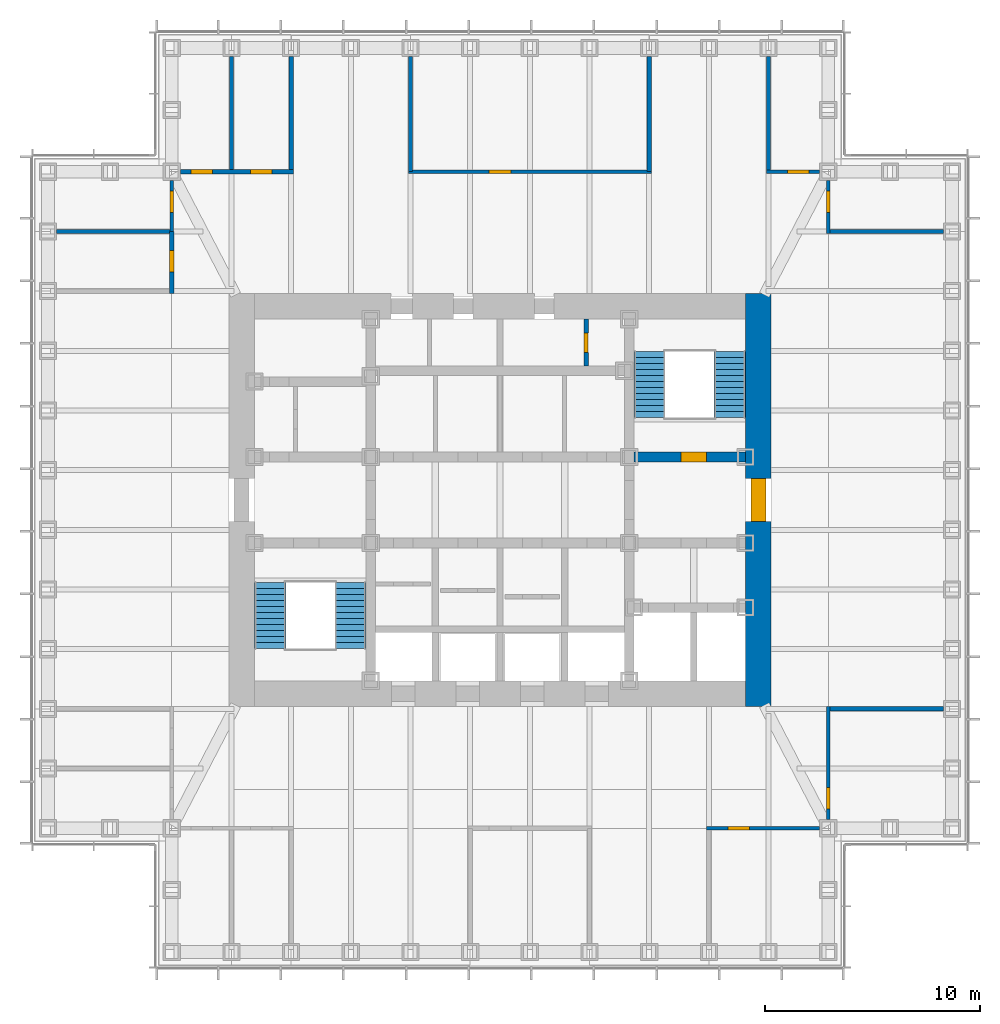
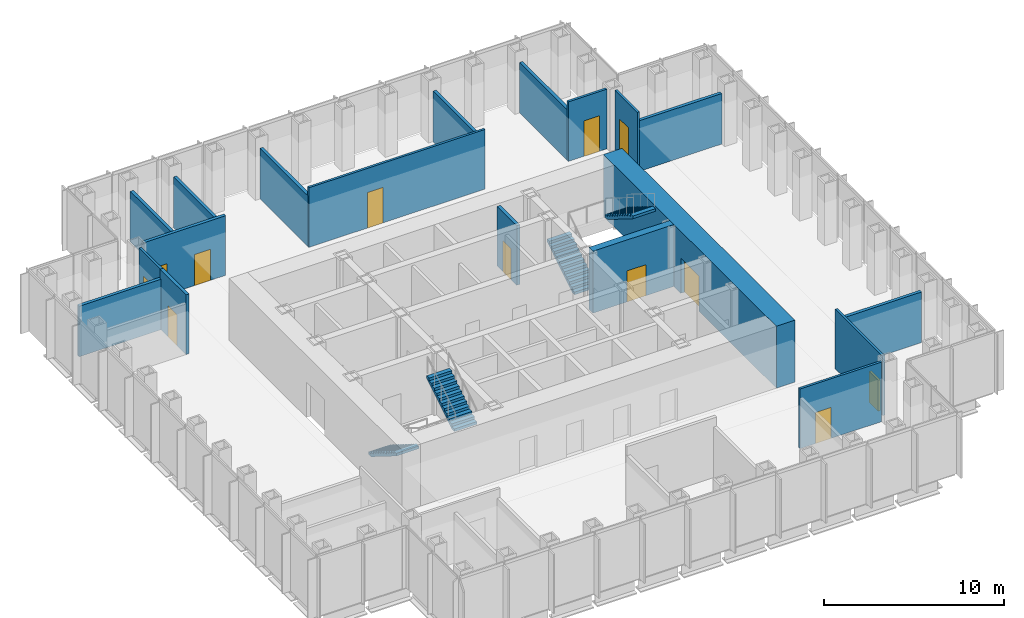
# One storey, part 10 of 16: 19 walls, 12 doors, 4 stair flights, 12 openings, 2 elements without a shape of their own.
"""IFC4 building model written with IfcOpenShell, lengths in metres."""

from ifc_helpers import new_model, si_unit, direction, frame, frame_2d, origin, place, context, subcontext, project, spatial, polyline, rectangle, outline, extrude, material, layer, layer_set, type_object, element, fill, aggregate, save


model = new_model("IFC4")

# Units and contexts
model_context = context("Model", 3, precision=1e-05, world=origin(), true_north=direction((0.0, 1.0)))
body_context = subcontext(model_context, "Body", "Model", "MODEL_VIEW")
ifc_project = project(units=[si_unit("LENGTHUNIT", "METRE"), si_unit("AREAUNIT", "SQUARE_METRE"), si_unit("VOLUMEUNIT", "CUBIC_METRE"), si_unit("PLANEANGLEUNIT", "RADIAN"), si_unit("MASSUNIT", "GRAM", prefix="KILO")], contexts=[model_context])

# Site, building, storey
site_placement = place(None, origin())
site = spatial("IfcSite", under=ifc_project, at=site_placement, CompositionType="ELEMENT")
building_placement = place(site_placement, origin())
building = spatial("IfcBuilding", under=site, at=building_placement, Name="Daluyong Arena Tower", CompositionType="ELEMENT")
storey_placement = place(building_placement, frame((0.0, 0.0, 262.89990234375)))
storey = spatial("IfcBuildingStorey", under=building, at=storey_placement, Name="L59", CompositionType="ELEMENT", Elevation=262.89990234375)

# Wall, opening, door
ifc_material_1 = material(Name="Concrete fc' 45 MPa", Category="concrete")
ifc_layer_1 = layer(ifc_material_1, 0.449951171875)
ifc_layer_set_1 = layer_set([ifc_layer_1], Name="Concrete fc' 45 MPa")
wall_type_1 = type_object("IfcWallType", Name="Core inner wall 450", PredefinedType="SHEAR", material=ifc_layer_set_1)
wall_1_placement = place(storey_placement, frame((62.22509765625, 82.0, 0.0), z_axis=(0.0, 0.0, 1.0), x_axis=(1.0, 0.0, 0.0)))
wall_1 = element("IfcWall", 1, at=wall_1_placement, inside=storey, type_object=wall_type_1, Name="core inner wall at L59", PredefinedType="SHEAR", context=body_context, shape_type="SweptSolid", body=[
    extrude(rectangle(XDim=5.1748046875, YDim=0.449951171875, at=frame_2d((2.58740234375, 0.0))), origin(), (0.0, 0.0, 1.0), 4.2001953125),
])
opening_1_placement = place(wall_1_placement, frame((2.175048828125, 0.0, 0.0)))
opening_1 = element("IfcOpeningElement", 2, at=opening_1_placement, cuts=wall_1, Name="Opening 59020", PredefinedType="OPENING", context=body_context, shape_type="SweptSolid", body=[
    extrude(rectangle(XDim=1.199951171875, YDim=2.10009765625, at=frame_2d((0.60009765625, 1.050048828125))), frame((0.0, 0.23486328125, 0.0), z_axis=(0.0, -1.0, 0.0), x_axis=(1.0, 0.0, 0.0)), (0.0, 0.0, 1.0), 0.469970703125),
])
ifc_material_2 = material(Name="Steel door, fire rated", Category="steel")
door_type_1 = type_object("IfcDoorType", Name="Stair door 1200", OperationType="SINGLE_SWING_LEFT", PredefinedType="DOOR", material=ifc_material_2)
door_1_placement = place(opening_1_placement, origin())
door_1 = element("IfcDoor", 3, at=door_1_placement, inside=storey, type_object=door_type_1, Name="stair B door 59020", OperationType="SINGLE_SWING_LEFT", OverallHeight=2.10009765625, OverallWidth=1.199951171875, PredefinedType="DOOR", context=body_context, shape_type="SweptSolid", body=[
    extrude(rectangle(XDim=1.199951171875, YDim=2.10009765625, at=frame_2d((0.60009765625, 1.050048828125))), frame((0.0, 0.224609375, 0.0), z_axis=(0.0, -1.0, 0.0), x_axis=(1.0, 0.0, 0.0)), (0.0, 0.0, 1.0), 0.449462890625),
])
fill(opening_1, door_1)

ifc_material_3 = material(Name="Concrete fc' 60 MPa", Category="concrete")
ifc_layer_2 = layer(ifc_material_3, 1.199951171875)
ifc_layer_set_2 = layer_set([ifc_layer_2], Name="Concrete fc' 60 MPa")
wall_type_2 = type_object("IfcWallType", Name="Core wall 1200", PredefinedType="SHEAR", material=ifc_layer_set_2)
wall_2_placement = place(storey_placement, frame((68.0, 70.39990234375, 0.0), z_axis=(0.0, 0.0, 1.0), x_axis=(0.0, 1.0, 0.0)))
wall_2 = element("IfcWall", 4, at=wall_2_placement, inside=storey, type_object=wall_type_2, Name="core wall at L59", PredefinedType="SHEAR", context=body_context, shape_type="SweptSolid", body=[
    extrude(rectangle(XDim=19.2001953125, YDim=1.199951171875, at=frame_2d((9.60009765625, 0.0))), origin(), (0.0, 0.0, 1.0), 4.2001953125),
])
opening_2_placement = place(wall_2_placement, frame((8.60009765625, 0.0, 0.0)))
opening_2 = element("IfcOpeningElement", 5, at=opening_2_placement, cuts=wall_2, Name="Opening 59022", PredefinedType="OPENING", context=body_context, shape_type="SweptSolid", body=[
    extrude(rectangle(XDim=2.0, YDim=2.39990234375, at=frame_2d((1.0, 1.199951171875))), frame((0.0, 0.60986328125, 0.0), z_axis=(0.0, -1.0, 0.0), x_axis=(1.0, 0.0, 0.0)), (0.0, 0.0, 1.0), 1.219970703125),
])
ifc_material_4 = material(Name="Steel door, fire rated", Category="steel")
door_type_2 = type_object("IfcDoorType", Name="Core lobby double door 2000", OperationType="DOUBLE_DOOR_SINGLE_SWING", PredefinedType="DOOR", material=ifc_material_4)
door_2_placement = place(opening_2_placement, origin())
door_2 = element("IfcDoor", 6, at=door_2_placement, inside=storey, type_object=door_type_2, Name="core lobby door east 59022", OperationType="DOUBLE_DOOR_SINGLE_SWING", OverallHeight=2.39990234375, OverallWidth=2.0, PredefinedType="DOOR", context=body_context, shape_type="SweptSolid", body=[
    extrude(rectangle(XDim=2.0, YDim=2.39990234375, at=frame_2d((1.0, 1.199951171875))), frame((0.0, 0.35009765625, 0.0), z_axis=(0.0, -1.0, 0.0), x_axis=(1.0, 0.0, 0.0)), (0.0, 0.0, 1.0), 0.699951171875),
])
fill(opening_2, door_2)

ifc_material_5 = material(Name="Concrete block partition, fire rated", Category="concrete")
ifc_layer_3 = layer(ifc_material_5, 0.199951171875)
ifc_layer_set_3 = layer_set([ifc_layer_3], Name="Concrete block partition, fire rated")
wall_type_3 = type_object("IfcWallType", Name="Fire-rated partition 200", PredefinedType="PARTITIONING", material=ifc_layer_set_3)
wall_3_placement = place(storey_placement, frame((60.0, 86.22509765625, 0.0), z_axis=(0.0, 0.0, 1.0), x_axis=(0.0, 1.0, 0.0)))
wall_3 = element("IfcWall", 7, at=wall_3_placement, inside=storey, type_object=wall_type_3, Name="electrical riser enclosure at L59", PredefinedType="PARTITIONING", context=body_context, shape_type="SweptSolid", body=[
    extrude(rectangle(XDim=2.1748046875, YDim=0.199951171875, at=frame_2d((1.08740234375, 0.0))), origin(), (0.0, 0.0, 1.0), 4.0400390625),
])
opening_3_placement = place(wall_3_placement, frame((0.637451171875, 0.0, 0.0)))
opening_3 = element("IfcOpeningElement", 8, at=opening_3_placement, cuts=wall_3, Name="Opening 59007", PredefinedType="OPENING", context=body_context, shape_type="SweptSolid", body=[
    extrude(rectangle(XDim=0.89990234375, YDim=2.10009765625, at=frame_2d((0.449951171875, 1.050048828125))), frame((0.0, 0.10986328125, 0.0), z_axis=(0.0, -1.0, 0.0), x_axis=(1.0, 0.0, 0.0)), (0.0, 0.0, 1.0), 0.219970703125),
])
ifc_material_6 = material(Name="Steel door, fire rated", Category="steel")
door_type_3 = type_object("IfcDoorType", Name="Riser door 900", OperationType="SINGLE_SWING_LEFT", PredefinedType="DOOR", material=ifc_material_6)
door_3_placement = place(opening_3_placement, origin())
door_3 = element("IfcDoor", 9, at=door_3_placement, inside=storey, type_object=door_type_3, Name="riser door 59007", OperationType="SINGLE_SWING_LEFT", OverallHeight=2.10009765625, OverallWidth=0.89990234375, PredefinedType="DOOR", context=body_context, shape_type="SweptSolid", body=[
    extrude(rectangle(XDim=0.89990234375, YDim=2.10009765625, at=frame_2d((0.449951171875, 1.050048828125))), frame((0.0, 0.099609375, 0.0), z_axis=(0.0, -1.0, 0.0), x_axis=(1.0, 0.0, 0.0)), (0.0, 0.0, 1.0), 0.199462890625),
])
fill(opening_3, door_3)

ifc_material_7 = material(Name="Glazed aluminium partition", Category="aluminium")
ifc_layer_4 = layer(ifc_material_7, 0.14990234375)
ifc_layer_set_4 = layer_set([ifc_layer_4], Name="Glazed aluminium partition")
wall_type_4 = type_object("IfcWallType", Name="Glazed partition 150", PredefinedType="PARTITIONING", material=ifc_layer_set_4)
wall_4_placement = place(storey_placement, frame((65.6044921875, 64.75, 0.0), z_axis=(0.0, 0.0, 1.0), x_axis=(1.0, 0.0, 0.0)))
wall_4 = element("IfcWall", 10, at=wall_4_placement, inside=storey, type_object=wall_type_4, Name="glazed partition at L59", PredefinedType="PARTITIONING", context=body_context, shape_type="SweptSolid", body=[
    extrude(rectangle(XDim=5.24560546875, YDim=0.14990234375, at=frame_2d((2.622802734375, 0.0))), origin(), (0.0, 0.0, 1.0), 4.0400390625),
])
opening_4_placement = place(wall_4_placement, frame((0.986328125, 0.0, 0.0)))
opening_4 = element("IfcOpeningElement", 11, at=opening_4_placement, cuts=wall_4, Name="Opening 59035", PredefinedType="OPENING", context=body_context, shape_type="SweptSolid", body=[
    extrude(rectangle(XDim=1.0, YDim=2.10009765625, at=frame_2d((0.5, 1.050048828125))), frame((0.0, 0.0849609375, 0.0), z_axis=(0.0, -1.0, 0.0), x_axis=(1.0, 0.0, 0.0)), (0.0, 0.0, 1.0), 0.169921875),
])
ifc_material_8 = material(Name="Timber door", Category="wood")
door_type_4 = type_object("IfcDoorType", Name="Room door 1000", OperationType="SINGLE_SWING_LEFT", PredefinedType="DOOR", material=ifc_material_8)
door_4_placement = place(opening_4_placement, origin())
door_4 = element("IfcDoor", 12, at=door_4_placement, inside=storey, type_object=door_type_4, Name="executive office door 59035", OperationType="SINGLE_SWING_LEFT", OverallHeight=2.10009765625, OverallWidth=1.0, PredefinedType="DOOR", context=body_context, shape_type="SweptSolid", body=[
    extrude(rectangle(XDim=1.0, YDim=2.10009765625, at=frame_2d((0.5, 1.050048828125))), frame((0.0, 0.07470703125, 0.0), z_axis=(0.0, -1.0, 0.0), x_axis=(1.0, 0.0, 0.0)), (0.0, 0.0, 1.0), 0.1494140625),
])
fill(opening_4, door_4)

wall_5_placement = place(storey_placement, frame((51.740966796875, 95.25, 0.0), z_axis=(0.0, 0.0, 1.0), x_axis=(1.0, 0.0, 0.0)))
wall_5 = element("IfcWall", 13, at=wall_5_placement, inside=storey, type_object=wall_type_4, Name="glazed partition at L59", PredefinedType="PARTITIONING", context=body_context, shape_type="SweptSolid", body=[
    extrude(rectangle(XDim=11.290771484375, YDim=0.14990234375, at=frame_2d((5.6455078125, 0.0))), origin(), (0.0, 0.0, 1.0), 4.0400390625),
])
opening_5_placement = place(wall_5_placement, frame((3.759033203125, 0.0, 0.0)))
opening_5 = element("IfcOpeningElement", 14, at=opening_5_placement, cuts=wall_5, Name="Opening 59040", PredefinedType="OPENING", context=body_context, shape_type="SweptSolid", body=[
    extrude(rectangle(XDim=1.0, YDim=2.39990234375, at=frame_2d((0.5, 1.199951171875))), frame((0.0, 0.0849609375, 0.0), z_axis=(0.0, -1.0, 0.0), x_axis=(1.0, 0.0, 0.0)), (0.0, 0.0, 1.0), 0.169921875),
])
ifc_material_9 = material(Name="Glazed aluminium door", Category="aluminium")
door_type_5 = type_object("IfcDoorType", Name="Meeting room glazed door 1000", OperationType="SINGLE_SWING_RIGHT", PredefinedType="DOOR", material=ifc_material_9)
door_5_placement = place(opening_5_placement, origin())
door_5 = element("IfcDoor", 15, at=door_5_placement, inside=storey, type_object=door_type_5, Name="boardroom door 59040", OperationType="SINGLE_SWING_RIGHT", OverallHeight=2.39990234375, OverallWidth=1.0, PredefinedType="DOOR", context=body_context, shape_type="SweptSolid", body=[
    extrude(rectangle(XDim=1.0, YDim=2.39990234375, at=frame_2d((0.5, 1.199951171875))), frame((0.0, 0.07470703125, 0.0), z_axis=(0.0, -1.0, 0.0), x_axis=(1.0, 0.0, 0.0)), (0.0, 0.0, 1.0), 0.1494140625),
])
fill(opening_5, door_5)

wall_6_placement = place(storey_placement, frame((68.377197265625, 95.25, 0.0), z_axis=(0.0, 0.0, 1.0), x_axis=(1.0, 0.0, 0.0)))
wall_6 = element("IfcWall", 16, at=wall_6_placement, inside=storey, type_object=wall_type_4, Name="glazed partition at L59", PredefinedType="PARTITIONING", context=body_context, shape_type="SweptSolid", body=[
    extrude(rectangle(XDim=2.472900390625, YDim=0.14990234375, at=frame_2d((1.236328125, 0.0))), origin(), (0.0, 0.0, 1.0), 4.0400390625),
])
opening_6_placement = place(wall_6_placement, frame((0.986328125, 0.0, 0.0)))
opening_6 = element("IfcOpeningElement", 17, at=opening_6_placement, cuts=wall_6, Name="Opening 59041", PredefinedType="OPENING", context=body_context, shape_type="SweptSolid", body=[
    extrude(rectangle(XDim=1.0, YDim=2.39990234375, at=frame_2d((0.5, 1.199951171875))), frame((0.0, 0.0849609375, 0.0), z_axis=(0.0, -1.0, 0.0), x_axis=(1.0, 0.0, 0.0)), (0.0, 0.0, 1.0), 0.169921875),
])
door_6_placement = place(opening_6_placement, origin())
door_6 = element("IfcDoor", 18, at=door_6_placement, inside=storey, type_object=door_type_5, Name="focus room door 59041", OperationType="SINGLE_SWING_RIGHT", OverallHeight=2.39990234375, OverallWidth=1.0, PredefinedType="DOOR", context=body_context, shape_type="SweptSolid", body=[
    extrude(rectangle(XDim=1.0, YDim=2.39990234375, at=frame_2d((0.5, 1.199951171875))), frame((0.0, 0.07470703125, 0.0), z_axis=(0.0, -1.0, 0.0), x_axis=(1.0, 0.0, 0.0)), (0.0, 0.0, 1.0), 0.1494140625),
])
fill(opening_6, door_6)

wall_7_placement = place(storey_placement, frame((40.75, 92.477294921875, 0.0), z_axis=(0.0, 0.0, 1.0), x_axis=(0.0, 1.0, 0.0)))
wall_7 = element("IfcWall", 19, at=wall_7_placement, inside=storey, type_object=wall_type_4, Name="glazed partition at L59", PredefinedType="PARTITIONING", context=body_context, shape_type="SweptSolid", body=[
    extrude(rectangle(XDim=2.372802734375, YDim=0.14990234375, at=frame_2d((1.1865234375, 0.0))), origin(), (0.0, 0.0, 1.0), 4.0400390625),
])
opening_7_placement = place(wall_7_placement, frame((0.886474609375, 0.0, 0.0)))
opening_7 = element("IfcOpeningElement", 20, at=opening_7_placement, cuts=wall_7, Name="Opening 59045", PredefinedType="OPENING", context=body_context, shape_type="SweptSolid", body=[
    extrude(rectangle(XDim=1.0, YDim=2.39990234375, at=frame_2d((0.5, 1.199951171875))), frame((0.0, 0.0849609375, 0.0), z_axis=(0.0, -1.0, 0.0), x_axis=(1.0, 0.0, 0.0)), (0.0, 0.0, 1.0), 0.169921875),
])
door_7_placement = place(opening_7_placement, origin())
door_7 = element("IfcDoor", 21, at=door_7_placement, inside=storey, type_object=door_type_5, Name="focus room door 59045", OperationType="SINGLE_SWING_RIGHT", OverallHeight=2.39990234375, OverallWidth=1.0, PredefinedType="DOOR", context=body_context, shape_type="SweptSolid", body=[
    extrude(rectangle(XDim=1.0, YDim=2.39990234375, at=frame_2d((0.5, 1.199951171875))), frame((0.0, 0.07470703125, 0.0), z_axis=(0.0, -1.0, 0.0), x_axis=(1.0, 0.0, 0.0)), (0.0, 0.0, 1.0), 0.1494140625),
])
fill(opening_7, door_7)

wall_8_placement = place(storey_placement, frame((71.25, 65.14990234375, 0.0), z_axis=(0.0, 0.0, 1.0), x_axis=(0.0, 1.0, 0.0)))
wall_8 = element("IfcWall", 22, at=wall_8_placement, inside=storey, type_object=wall_type_4, Name="glazed partition at L59", PredefinedType="PARTITIONING", context=body_context, shape_type="SweptSolid", body=[
    extrude(rectangle(XDim=5.24560546875, YDim=0.14990234375, at=frame_2d((2.622802734375, 0.0))), origin(), (0.0, 0.0, 1.0), 4.0400390625),
])
opening_8_placement = place(wall_8_placement, frame((0.486328125, 0.0, 0.0)))
opening_8 = element("IfcOpeningElement", 23, at=opening_8_placement, cuts=wall_8, Name="Opening 59036", PredefinedType="OPENING", context=body_context, shape_type="SweptSolid", body=[
    extrude(rectangle(XDim=1.0, YDim=2.10009765625, at=frame_2d((0.5, 1.050048828125))), frame((0.0, 0.0849609375, 0.0), z_axis=(0.0, -1.0, 0.0), x_axis=(1.0, 0.0, 0.0)), (0.0, 0.0, 1.0), 0.169921875),
])
door_8_placement = place(opening_8_placement, origin())
door_8 = element("IfcDoor", 24, at=door_8_placement, inside=storey, type_object=door_type_4, Name="executive office door 59036", OperationType="SINGLE_SWING_LEFT", OverallHeight=2.10009765625, OverallWidth=1.0, PredefinedType="DOOR", context=body_context, shape_type="SweptSolid", body=[
    extrude(rectangle(XDim=1.0, YDim=2.10009765625, at=frame_2d((0.5, 1.050048828125))), frame((0.0, 0.07470703125, 0.0), z_axis=(0.0, -1.0, 0.0), x_axis=(1.0, 0.0, 0.0)), (0.0, 0.0, 1.0), 0.1494140625),
])
fill(opening_8, door_8)

wall_9_placement = place(storey_placement, frame((71.25, 92.377197265625, 0.0), z_axis=(0.0, 0.0, 1.0), x_axis=(0.0, 1.0, 0.0)))
wall_9 = element("IfcWall", 25, at=wall_9_placement, inside=storey, type_object=wall_type_4, Name="glazed partition at L59", PredefinedType="PARTITIONING", context=body_context, shape_type="SweptSolid", body=[
    extrude(rectangle(XDim=2.472900390625, YDim=0.14990234375, at=frame_2d((1.236328125, 0.0))), origin(), (0.0, 0.0, 1.0), 4.0400390625),
])
opening_9_placement = place(wall_9_placement, frame((0.986328125, 0.0, 0.0)))
opening_9 = element("IfcOpeningElement", 26, at=opening_9_placement, cuts=wall_9, Name="Opening 59037", PredefinedType="OPENING", context=body_context, shape_type="SweptSolid", body=[
    extrude(rectangle(XDim=1.0, YDim=2.39990234375, at=frame_2d((0.5, 1.199951171875))), frame((0.0, 0.0849609375, 0.0), z_axis=(0.0, -1.0, 0.0), x_axis=(1.0, 0.0, 0.0)), (0.0, 0.0, 1.0), 0.169921875),
])
door_9_placement = place(opening_9_placement, origin())
door_9 = element("IfcDoor", 27, at=door_9_placement, inside=storey, type_object=door_type_5, Name="meeting room door 59037", OperationType="SINGLE_SWING_RIGHT", OverallHeight=2.39990234375, OverallWidth=1.0, PredefinedType="DOOR", context=body_context, shape_type="SweptSolid", body=[
    extrude(rectangle(XDim=1.0, YDim=2.39990234375, at=frame_2d((0.5, 1.199951171875))), frame((0.0, 0.07470703125, 0.0), z_axis=(0.0, -1.0, 0.0), x_axis=(1.0, 0.0, 0.0)), (0.0, 0.0, 1.0), 0.1494140625),
])
fill(opening_9, door_9)

# Walls
ifc_material_10 = material(Name="Concrete block partition", Category="concrete")
ifc_layer_5 = layer(ifc_material_10, 0.199951171875)
ifc_layer_set_5 = layer_set([ifc_layer_5], Name="Concrete block partition")
wall_type_5 = type_object("IfcWallType", Name="Partition 200", PredefinedType="PARTITIONING", material=ifc_layer_set_5)
for number, where, z_axis, x_axis, name in (
    (28, (71.25, 70.29541015625, 0.0), (0.0, 0.0, 1.0), (1.0, 0.0, 0.0), "partition at L59"),
    (29, (71.25, 92.477294921875, 0.0), (0.0, 0.0, 1.0), (1.0, 0.0, 0.0), "partition at L59"),
    (30, (43.522705078125, 95.25, 0.0), (0.0, 0.0, 1.0), (0.0, 1.0, 0.0), "partition at L59"),
    (31, (46.29541015625, 95.25, 0.0), (0.0, 0.0, 1.0), (0.0, 1.0, 0.0), "partition at L59"),
    (32, (51.8408203125, 95.25, 0.0), (0.0, 0.0, 1.0), (0.0, 1.0, 0.0), "partition at L59"),
    (33, (62.931884765625, 95.25, 0.0), (0.0, 0.0, 1.0), (0.0, 1.0, 0.0), "partition at L59"),
    (34, (68.477294921875, 95.25, 0.0), (0.0, 0.0, 1.0), (0.0, 1.0, 0.0), "partition at L59"),
    (35, (35.39990234375, 92.477294921875, 0.0), (0.0, 0.0, 1.0), (1.0, 0.0, 0.0), "partition at L59"),
):
    element("IfcWall", number, at=place(storey_placement, frame(where, z_axis=z_axis, x_axis=x_axis)), inside=storey, type_object=wall_type_5, Name=name, PredefinedType="PARTITIONING", context=body_context, shape_type="SweptSolid", body=[
        extrude(rectangle(XDim=5.35009765625, YDim=0.199951171875, at=frame_2d((2.675048828125, 0.0))), origin(), (0.0, 0.0, 1.0), 3.427978515625),
    ])

# Wall, openings, doors
wall_10_placement = place(storey_placement, frame((41.14990234375, 95.25, 0.0), z_axis=(0.0, 0.0, 1.0), x_axis=(1.0, 0.0, 0.0)))
wall_10 = element("IfcWall", 36, at=wall_10_placement, inside=storey, type_object=wall_type_5, Name="partition at L59", PredefinedType="PARTITIONING", context=body_context, shape_type="SweptSolid", body=[
    extrude(rectangle(XDim=5.24560546875, YDim=0.199951171875, at=frame_2d((2.622802734375, 0.0))), origin(), (0.0, 0.0, 1.0), 4.0400390625),
])
opening_10_placement = place(wall_10_placement, frame((0.486328125, 0.0, 0.0)))
opening_10 = element("IfcOpeningElement", 37, at=opening_10_placement, cuts=wall_10, Name="Opening 59038", PredefinedType="OPENING", context=body_context, shape_type="SweptSolid", body=[
    extrude(rectangle(XDim=1.0, YDim=2.10009765625, at=frame_2d((0.5, 1.050048828125))), frame((0.0, 0.10986328125, 0.0), z_axis=(0.0, -1.0, 0.0), x_axis=(1.0, 0.0, 0.0)), (0.0, 0.0, 1.0), 0.219970703125),
])
opening_11_placement = place(wall_10_placement, frame((3.259033203125, 0.0, 0.0)))
opening_11 = element("IfcOpeningElement", 38, at=opening_11_placement, cuts=wall_10, Name="Opening 59039", PredefinedType="OPENING", context=body_context, shape_type="SweptSolid", body=[
    extrude(rectangle(XDim=1.0, YDim=2.10009765625, at=frame_2d((0.5, 1.050048828125))), frame((0.0, 0.10986328125, 0.0), z_axis=(0.0, -1.0, 0.0), x_axis=(1.0, 0.0, 0.0)), (0.0, 0.0, 1.0), 0.219970703125),
])
door_10_placement = place(opening_10_placement, origin())
door_10 = element("IfcDoor", 39, at=door_10_placement, inside=storey, type_object=door_type_4, Name="wellness room door 59038", OperationType="SINGLE_SWING_LEFT", OverallHeight=2.10009765625, OverallWidth=1.0, PredefinedType="DOOR", context=body_context, shape_type="SweptSolid", body=[
    extrude(rectangle(XDim=1.0, YDim=2.10009765625, at=frame_2d((0.5, 1.050048828125))), frame((0.0, 0.099609375, 0.0), z_axis=(0.0, -1.0, 0.0), x_axis=(1.0, 0.0, 0.0)), (0.0, 0.0, 1.0), 0.199462890625),
])
fill(opening_10, door_10)
door_11_placement = place(opening_11_placement, origin())
door_11 = element("IfcDoor", 40, at=door_11_placement, inside=storey, type_object=door_type_4, Name="quiet room door 59039", OperationType="SINGLE_SWING_LEFT", OverallHeight=2.10009765625, OverallWidth=1.0, PredefinedType="DOOR", context=body_context, shape_type="SweptSolid", body=[
    extrude(rectangle(XDim=1.0, YDim=2.10009765625, at=frame_2d((0.5, 1.050048828125))), frame((0.0, 0.099609375, 0.0), z_axis=(0.0, -1.0, 0.0), x_axis=(1.0, 0.0, 0.0)), (0.0, 0.0, 1.0), 0.199462890625),
])
fill(opening_11, door_11)

# Wall, opening, door
wall_11_placement = place(storey_placement, frame((40.75, 89.6044921875, 0.0), z_axis=(0.0, 0.0, 1.0), x_axis=(0.0, 1.0, 0.0)))
wall_11 = element("IfcWall", 41, at=wall_11_placement, inside=storey, type_object=wall_type_5, Name="partition at L59", PredefinedType="PARTITIONING", context=body_context, shape_type="SweptSolid", body=[
    extrude(rectangle(XDim=2.872802734375, YDim=0.199951171875, at=frame_2d((1.4365234375, 0.0))), origin(), (0.0, 0.0, 1.0), 4.0400390625),
])
opening_12_placement = place(wall_11_placement, frame((0.986328125, 0.0, 0.0)))
opening_12 = element("IfcOpeningElement", 42, at=opening_12_placement, cuts=wall_11, Name="Opening 59044", PredefinedType="OPENING", context=body_context, shape_type="SweptSolid", body=[
    extrude(rectangle(XDim=1.0, YDim=2.10009765625, at=frame_2d((0.5, 1.050048828125))), frame((0.0, 0.10986328125, 0.0), z_axis=(0.0, -1.0, 0.0), x_axis=(1.0, 0.0, 0.0)), (0.0, 0.0, 1.0), 0.219970703125),
])
door_12_placement = place(opening_12_placement, origin())
door_12 = element("IfcDoor", 43, at=door_12_placement, inside=storey, type_object=door_type_4, Name="quiet room door 59044", OperationType="SINGLE_SWING_LEFT", OverallHeight=2.10009765625, OverallWidth=1.0, PredefinedType="DOOR", context=body_context, shape_type="SweptSolid", body=[
    extrude(rectangle(XDim=1.0, YDim=2.10009765625, at=frame_2d((0.5, 1.050048828125))), frame((0.0, 0.099609375, 0.0), z_axis=(0.0, -1.0, 0.0), x_axis=(1.0, 0.0, 0.0)), (0.0, 0.0, 1.0), 0.199462890625),
])
fill(opening_12, door_12)

# Stair, stair flights
ifc_material_11 = material(Name="Concrete fc' 35 MPa", Category="concrete")
stair_type = type_object("IfcStairType", Name="Core exit stair", PredefinedType="HALF_TURN_STAIR", material=ifc_material_11)
stair_1_placement = place(storey_placement, origin())
stair_1 = element("IfcStair", 44, at=stair_1_placement, inside=storey, type_object=stair_type, Name="exit stair A L59", PredefinedType="HALF_TURN_STAIR")
ifc_material_12 = material(Name="Concrete fc' 35 MPa", Category="concrete")
stair_flight_type = type_object("IfcStairFlightType", Name="Core stair flight", PredefinedType="STRAIGHT", material=ifc_material_12)
stair_flight_1_placement = place(storey_placement, frame((45.324951171875, 76.175048828125, 0.0), z_axis=(0.0, 0.0, 1.0), x_axis=(0.0, -1.0, 0.0)))
stair_flight_1 = element("IfcStairFlight", 45, at=stair_flight_1_placement, type_object=stair_flight_type, Name="STA flight 1", NumberOfRisers=12, NumberOfTreads=11, PredefinedType="STRAIGHT", RiserHeight=0.175, TreadLength=0.28, context=body_context, shape_type="SweptSolid", body=[
    extrude(outline(polyline([(0.0, 0.0), (0.0, 0.175048828125), (0.280029296875, 0.175048828125), (0.280029296875, 0.35009765625), (0.56005859375, 0.35009765625), (0.56005859375, 0.52490234375), (0.840087890625, 0.52490234375), (0.840087890625, 0.699951171875), (1.1201171875, 0.699951171875), (1.1201171875, 0.875), (1.39990234375, 0.875), (1.39990234375, 1.050048828125), (1.679931640625, 1.050048828125), (1.679931640625, 1.22509765625), (1.9599609375, 1.22509765625), (1.9599609375, 1.39990234375), (2.239990234375, 1.39990234375), (2.239990234375, 1.574951171875), (2.52001953125, 1.574951171875), (2.52001953125, 1.75), (2.800048828125, 1.75), (2.800048828125, 1.925048828125), (3.080078125, 1.925048828125), (3.080078125, 2.10009765625), (3.080078125, 1.748291015625), (0.28271484375, 0.0), (0.0, 0.0)])), frame((0.0, 0.72509765625, 0.0), z_axis=(0.0, -1.0, 0.0), x_axis=(1.0, 0.0, 0.0)), (0.0, 0.0, 1.0), 1.449951171875),
])
stair_flight_2_placement = place(storey_placement, frame((49.050048828125, 73.094970703125, 2.10009765625), z_axis=(0.0, 0.0, 1.0), x_axis=(0.0, 1.0, 0.0)))
stair_flight_2 = element("IfcStairFlight", 46, at=stair_flight_2_placement, type_object=stair_flight_type, Name="STA flight 2", NumberOfRisers=12, NumberOfTreads=11, PredefinedType="STRAIGHT", RiserHeight=0.175, TreadLength=0.28, context=body_context, shape_type="SweptSolid", body=[
    extrude(outline(polyline([(0.0, 0.0), (0.0, 0.175048828125), (0.280029296875, 0.175048828125), (0.280029296875, 0.35009765625), (0.56005859375, 0.35009765625), (0.56005859375, 0.52490234375), (0.840087890625, 0.52490234375), (0.840087890625, 0.699951171875), (1.1201171875, 0.699951171875), (1.1201171875, 0.875), (1.39990234375, 0.875), (1.39990234375, 1.050048828125), (1.679931640625, 1.050048828125), (1.679931640625, 1.22509765625), (1.9599609375, 1.22509765625), (1.9599609375, 1.39990234375), (2.239990234375, 1.39990234375), (2.239990234375, 1.574951171875), (2.52001953125, 1.574951171875), (2.52001953125, 1.75), (2.800048828125, 1.75), (2.800048828125, 1.925048828125), (3.080078125, 1.925048828125), (3.080078125, 2.10009765625), (3.080078125, 1.748291015625), (0.28271484375, 0.0), (0.0, 0.0)])), frame((0.0, 0.72509765625, 0.0), z_axis=(0.0, -1.0, 0.0), x_axis=(1.0, 0.0, 0.0)), (0.0, 0.0, 1.0), 1.449951171875),
])
aggregate(stair_1, [stair_flight_1, stair_flight_2])

stair_2_placement = place(storey_placement, origin())
stair_2 = element("IfcStair", 47, at=stair_2_placement, inside=storey, type_object=stair_type, Name="exit stair B L59", PredefinedType="HALF_TURN_STAIR")
stair_flight_3_placement = place(storey_placement, frame((62.949951171875, 83.824951171875, 0.0), z_axis=(0.0, 0.0, 1.0), x_axis=(0.0, 1.0, 0.0)))
stair_flight_3 = element("IfcStairFlight", 48, at=stair_flight_3_placement, type_object=stair_flight_type, Name="STB flight 1", NumberOfRisers=12, NumberOfTreads=11, PredefinedType="STRAIGHT", RiserHeight=0.175, TreadLength=0.28, context=body_context, shape_type="SweptSolid", body=[
    extrude(outline(polyline([(0.0, 0.0), (0.0, 0.175048828125), (0.280029296875, 0.175048828125), (0.280029296875, 0.35009765625), (0.56005859375, 0.35009765625), (0.56005859375, 0.52490234375), (0.840087890625, 0.52490234375), (0.840087890625, 0.699951171875), (1.1201171875, 0.699951171875), (1.1201171875, 0.875), (1.39990234375, 0.875), (1.39990234375, 1.050048828125), (1.679931640625, 1.050048828125), (1.679931640625, 1.22509765625), (1.9599609375, 1.22509765625), (1.9599609375, 1.39990234375), (2.239990234375, 1.39990234375), (2.239990234375, 1.574951171875), (2.52001953125, 1.574951171875), (2.52001953125, 1.75), (2.800048828125, 1.75), (2.800048828125, 1.925048828125), (3.080078125, 1.925048828125), (3.080078125, 2.10009765625), (3.080078125, 1.748291015625), (0.28271484375, 0.0), (0.0, 0.0)])), frame((0.0, 0.72509765625, 0.0), z_axis=(0.0, -1.0, 0.0), x_axis=(1.0, 0.0, 0.0)), (0.0, 0.0, 1.0), 1.449951171875),
])
stair_flight_4_placement = place(storey_placement, frame((66.675048828125, 86.905029296875, 2.10009765625), z_axis=(0.0, 0.0, 1.0), x_axis=(0.0, -1.0, 0.0)))
stair_flight_4 = element("IfcStairFlight", 49, at=stair_flight_4_placement, type_object=stair_flight_type, Name="STB flight 2", NumberOfRisers=12, NumberOfTreads=11, PredefinedType="STRAIGHT", RiserHeight=0.175, TreadLength=0.28, context=body_context, shape_type="SweptSolid", body=[
    extrude(outline(polyline([(0.0, 0.0), (0.0, 0.175048828125), (0.280029296875, 0.175048828125), (0.280029296875, 0.35009765625), (0.56005859375, 0.35009765625), (0.56005859375, 0.52490234375), (0.840087890625, 0.52490234375), (0.840087890625, 0.699951171875), (1.1201171875, 0.699951171875), (1.1201171875, 0.875), (1.39990234375, 0.875), (1.39990234375, 1.050048828125), (1.679931640625, 1.050048828125), (1.679931640625, 1.22509765625), (1.9599609375, 1.22509765625), (1.9599609375, 1.39990234375), (2.239990234375, 1.39990234375), (2.239990234375, 1.574951171875), (2.52001953125, 1.574951171875), (2.52001953125, 1.75), (2.800048828125, 1.75), (2.800048828125, 1.925048828125), (3.080078125, 1.925048828125), (3.080078125, 2.10009765625), (3.080078125, 1.748291015625), (0.28271484375, 0.0), (0.0, 0.0)])), frame((0.0, 0.72509765625, 0.0), z_axis=(0.0, -1.0, 0.0), x_axis=(1.0, 0.0, 0.0)), (0.0, 0.0, 1.0), 1.449951171875),
])
aggregate(stair_2, [stair_flight_3, stair_flight_4])

save(model, "model.ifc")
